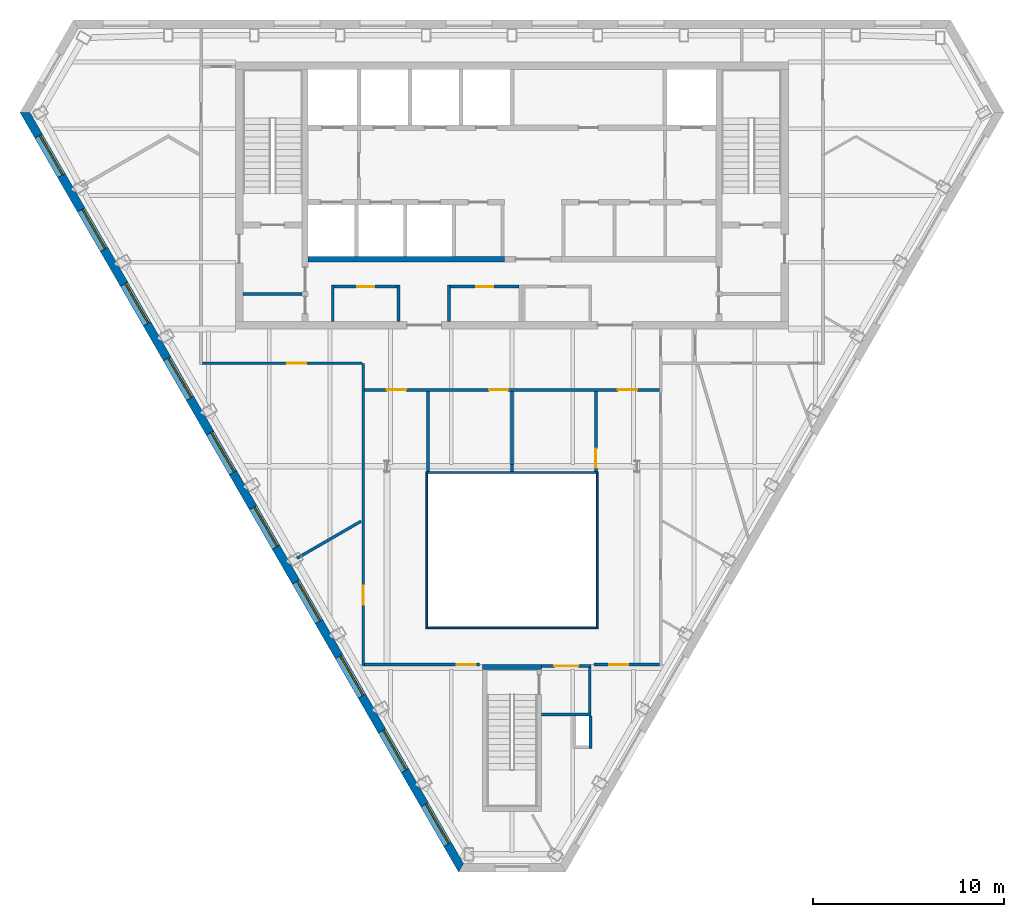
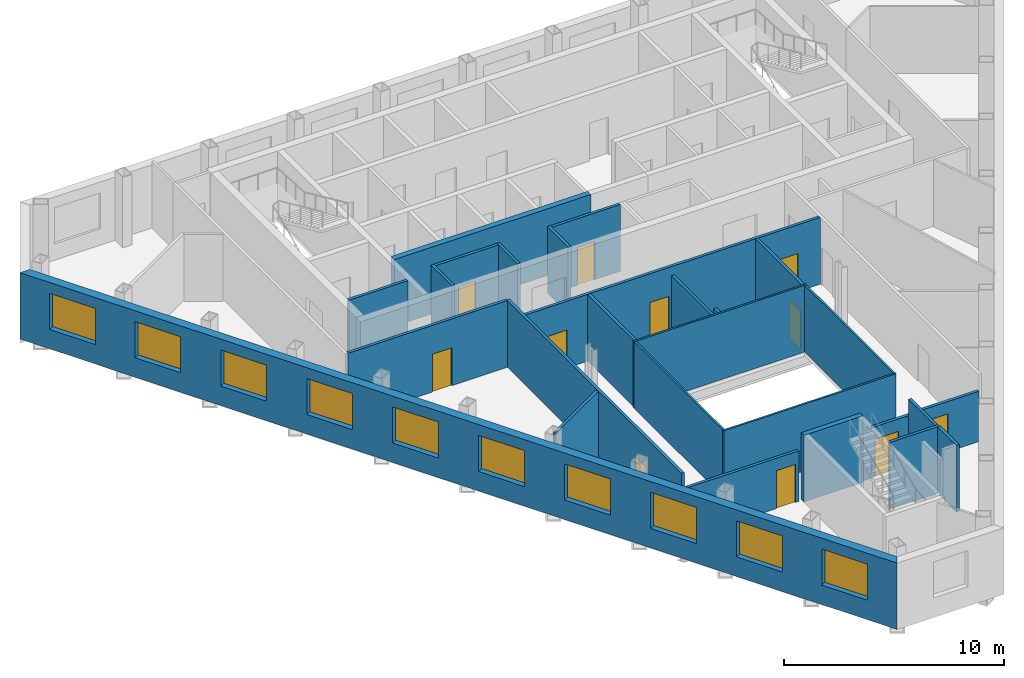
# One storey, part 4 of 10: 27 walls, 11 doors, 10 windows, 21 openings.
"""IFC4 building model written with IfcOpenShell, lengths in metres."""

import ifcopenshell
import ifcopenshell.guid

model = None  # the IFC model being written
_history = None  # IfcOwnerHistory: only IFC2X3 demands one
_inside = {}  # id of a spatial element -> (the spatial element, [elements in it])
_under = {}  # id of a project, library or spatial element -> (it, [spatial elements below it])
_declared = {}  # id of a project -> (the project, [libraries it declares])
_typed = {}  # id of a type object -> (the type object, [elements of that type])
_made_of = {}  # id of a material, layer set ... -> (it, [elements and type objects made of it])


def new_model(schema):
    """Start an empty IFC model of exactly this schema.

    Asked for "IFC4X3", IfcOpenShell would pick the latest addendum, in which some entities
    have other attributes; the version numbers below select the first issue.
    IFC2X3 requires an IfcOwnerHistory on every rooted entity: one is made here for all.
    """
    global model, _history
    if schema == "IFC4X3":
        model = ifcopenshell.file(schema_version=(4, 3, 0, 0))
    else:
        model = ifcopenshell.file(schema=schema)
    _inside.clear()
    _under.clear()
    _declared.clear()
    _typed.clear()
    _made_of.clear()
    _history = None
    if model.schema == "IFC2X3":
        org = make("IfcOrganization", Name="unknown")
        user = make(
            "IfcPersonAndOrganization",
            ThePerson=make("IfcPerson", FamilyName="unknown"),
            TheOrganization=org,
        )
        app = make(
            "IfcApplication",
            ApplicationDeveloper=org,
            Version="unknown",
            ApplicationFullName="unknown",
            ApplicationIdentifier="unknown",
        )
        _history = make(
            "IfcOwnerHistory",
            OwningUser=user,
            OwningApplication=app,
            ChangeAction="ADDED",
            CreationDate=0,
        )
    return model


def make(cls, **values):
    """One entity of the class cls with the attributes given. An attribute that is None is left unset."""
    return model.create_entity(
        cls, **{name: value for name, value in values.items() if value is not None}
    )


def rooted(cls, **values):
    """An entity with a GlobalId (a new one), such as an element, a storey or a relation."""
    return make(cls, GlobalId=ifcopenshell.guid.new(), OwnerHistory=_history, **values)


def si_unit(unit_type, name, prefix=None):
    """IfcSIUnit, for example si_unit("LENGTHUNIT", "METRE", prefix="MILLI")."""
    return make("IfcSIUnit", UnitType=unit_type, Prefix=prefix, Name=name)


def assignment(units):
    """IfcUnitAssignment: the units of a project."""
    return None if units is None else make("IfcUnitAssignment", Units=units)


def point(xyz):
    """IfcCartesianPoint."""
    return None if xyz is None else make("IfcCartesianPoint", Coordinates=xyz)


def direction(xyz):
    """IfcDirection."""
    return None if xyz is None else make("IfcDirection", DirectionRatios=xyz)


def frame(location, z_axis=None, x_axis=None):
    """IfcAxis2Placement3D, a coordinate frame: its origin and axes. An axis left out is left unset."""
    return make(
        "IfcAxis2Placement3D",
        Location=point(location),
        Axis=direction(z_axis),
        RefDirection=direction(x_axis),
    )


def frame_2d(location, x_axis=None):
    """IfcAxis2Placement2D, a coordinate frame in the plane: its origin and x axis."""
    return make(
        "IfcAxis2Placement2D", Location=point(location), RefDirection=direction(x_axis)
    )


def origin():
    """The frame at (0, 0, 0) with its axes left unset."""
    return frame((0.0, 0.0, 0.0))


def place(relative_to, where):
    """IfcLocalPlacement: puts the frame where relative to a parent placement (None: the world)."""
    return make(
        "IfcLocalPlacement", PlacementRelTo=relative_to, RelativePlacement=where
    )


def context(
    kind, dimensions, precision=None, world=None, true_north=None, identifier=None
):
    """IfcGeometricRepresentationContext, for example the 3D "Model" context."""
    return make(
        "IfcGeometricRepresentationContext",
        ContextIdentifier=identifier,
        ContextType=kind,
        CoordinateSpaceDimension=dimensions,
        Precision=precision,
        WorldCoordinateSystem=world,
        TrueNorth=true_north,
    )


def subcontext(parent, identifier, kind, view, scale=None):
    """IfcGeometricRepresentationSubContext, for example "Body" below "Model"."""
    return make(
        "IfcGeometricRepresentationSubContext",
        ContextIdentifier=identifier,
        ContextType=kind,
        ParentContext=parent,
        TargetScale=scale,
        TargetView=view,
    )


def project(units=None, contexts=None):
    """IfcProject with its units and contexts."""
    return rooted(
        "IfcProject",
        Name="project",
        RepresentationContexts=contexts,
        UnitsInContext=assignment(units),
    )


def spatial(cls, under=None, at=None, **own):
    """A site, building, storey or space (cls), placed at a placement, below another one or the project."""
    s = rooted(cls, ObjectPlacement=at, **own)
    if under is not None:
        _under.setdefault(under.id(), (under, []))[1].append(s)
    return s


def polyline(points):
    """IfcPolyline through the points."""
    return make("IfcPolyline", Points=[point(p) for p in points])


def profile(cls, at=None, kind="AREA", **sizes):
    """A parametric profile (cls). Its sizes go by their IFC names, for example OverallWidth=200.0."""
    return make(cls, ProfileType=kind, Position=at, **sizes)


def rectangle(**sizes):
    """IfcRectangleProfileDef."""
    return profile("IfcRectangleProfileDef", **sizes)


def outline(outer, holes=None, kind="AREA"):
    """IfcArbitraryClosedProfileDef: a profile drawn as a closed curve; with holes, ...WithVoids."""
    if holes is None:
        return make("IfcArbitraryClosedProfileDef", ProfileType=kind, OuterCurve=outer)
    return make(
        "IfcArbitraryProfileDefWithVoids",
        ProfileType=kind,
        OuterCurve=outer,
        InnerCurves=holes,
    )


def extrude(swept, where, along, depth):
    """IfcExtrudedAreaSolid: the profile swept, set in the frame where, extruded along a direction by depth."""
    return make(
        "IfcExtrudedAreaSolid",
        SweptArea=swept,
        Position=where,
        ExtrudedDirection=direction(along),
        Depth=depth,
    )


def shape(context_of_items, identifier, shape_type, items):
    """IfcShapeRepresentation: the items that make up one representation, for example the "Body"."""
    return make(
        "IfcShapeRepresentation",
        ContextOfItems=context_of_items,
        RepresentationIdentifier=identifier,
        RepresentationType=shape_type,
        Items=items,
    )


def material(Name=None, Category=None):
    """IfcMaterial."""
    return make("IfcMaterial", Name=Name, Category=Category)


def layer(
    of_material, thickness, ventilated=None, Name=None, Category=None, Priority=None
):
    """IfcMaterialLayer: one layer of a wall or slab, of a material (None: an air gap)."""
    return make(
        "IfcMaterialLayer",
        Material=of_material,
        LayerThickness=thickness,
        IsVentilated=ventilated,
        Name=Name,
        Category=Category,
        Priority=Priority,
    )


def layer_set(layers, Name=None):
    """IfcMaterialLayerSet."""
    return make("IfcMaterialLayerSet", MaterialLayers=layers, LayerSetName=Name)


def made_of(thing, what):
    """Note that an element or type object is made of a material, layer set ...; save() writes the relation."""
    if what is not None:
        _made_of.setdefault(what.id(), (what, []))[1].append(thing)
    return thing


def type_object(cls, material=None, **own):
    """A type object (cls), such as IfcWallType, which elements share."""
    return made_of(rooted(cls, **own), material)


def element(
    cls,
    number,
    at=None,
    inside=None,
    cuts=None,
    type_object=None,
    material=None,
    context=None,
    identifier="Body",
    shape_type=None,
    held_by="IfcProductDefinitionShape",
    body=None,
    shapes=None,
    **own,
):
    """One element of the class cls, such as IfcWall. Its Tag is "e" and its number.

    at: its placement. inside: the storey or other place that contains it. cuts: it is an
    opening in that element (IfcRelVoidsElement). A single representation is given by context,
    identifier, shape_type and body (its items); several are given by shapes. held_by: the class
    of the entity that holds the representations. save() writes the other relations.
    """
    e = rooted(cls, Tag="e%d" % number, ObjectPlacement=at, **own)
    if body is not None:
        shapes = [shape(context, identifier, shape_type, body)]
    if shapes is not None:
        e.Representation = make(held_by, Representations=shapes)
    if inside is not None:
        _inside.setdefault(inside.id(), (inside, []))[1].append(e)
    if cuts is not None:
        rooted(
            "IfcRelVoidsElement", RelatingBuildingElement=cuts, RelatedOpeningElement=e
        )
    if type_object is not None:
        _typed.setdefault(type_object.id(), (type_object, []))[1].append(e)
    return made_of(e, material)


def fill(opening, filler):
    """IfcRelFillsElement: the door or window that sits in an opening."""
    return rooted(
        "IfcRelFillsElement",
        RelatingOpeningElement=opening,
        RelatedBuildingElement=filler,
    )


def aggregate(whole, parts):
    """IfcRelAggregates: a whole, such as a stair, and the parts it consists of."""
    return rooted("IfcRelAggregates", RelatingObject=whole, RelatedObjects=parts)


def save(model, path):
    """Write the relations noted so far, then the file.

    IfcRelAggregates (storeys below a building ...), IfcRelContainedInSpatialStructure (elements
    in a storey), IfcRelDefinesByType, IfcRelAssociatesMaterial and IfcRelDeclares: one each for
    every whole, place, type object, material and project.
    """
    for whole, parts in _under.values():
        aggregate(whole, parts)
    for where, things in _inside.values():
        rooted(
            "IfcRelContainedInSpatialStructure",
            RelatedElements=things,
            RelatingStructure=where,
        )
    for kind, things in _typed.values():
        rooted("IfcRelDefinesByType", RelatedObjects=things, RelatingType=kind)
    for what, things in _made_of.values():
        rooted("IfcRelAssociatesMaterial", RelatedObjects=things, RelatingMaterial=what)
    for by, libraries in _declared.values():
        rooted("IfcRelDeclares", RelatingContext=by, RelatedDefinitions=libraries)
    model.write(path)


model = new_model("IFC4")

# Units and contexts
model_context = context("Model", 3, precision=1e-05, world=origin(), true_north=direction((0.0, 1.0)))
body_context = subcontext(model_context, "Body", "Model", "MODEL_VIEW")
ifc_project = project(units=[si_unit("LENGTHUNIT", "METRE"), si_unit("AREAUNIT", "SQUARE_METRE"), si_unit("VOLUMEUNIT", "CUBIC_METRE"), si_unit("PLANEANGLEUNIT", "RADIAN"), si_unit("MASSUNIT", "GRAM", prefix="KILO")], contexts=[model_context])

# Site, building, storey
site_placement = place(None, origin())
site = spatial("IfcSite", under=ifc_project, at=site_placement, CompositionType="ELEMENT")
building_placement = place(site_placement, origin())
building = spatial("IfcBuilding", under=site, at=building_placement, Name="Njiva Tower", CompositionType="ELEMENT")
storey_placement = place(building_placement, frame((0.0, 0.0, 268.8)))
storey = spatial("IfcBuildingStorey", under=building, at=storey_placement, Name="L61", CompositionType="ELEMENT", Elevation=268.8)

# Walls
ifc_material_1 = material(Name="Blockwork", Category="masonry")
ifc_layer_1 = layer(ifc_material_1, 0.15)
ifc_layer_set_1 = layer_set([ifc_layer_1], Name="Blockwork")
wall_type_1 = type_object("IfcWallType", Name="WT1 Compartment partition 150", PredefinedType="PARTITIONING", material=ifc_layer_set_1)
wall_1_placement = place(storey_placement, frame((-14.1, 5.825, 0.0), z_axis=(0.0, 0.0, 1.0), x_axis=(1.0, 0.0, 0.0)))
element("IfcWall", 1, at=wall_1_placement, inside=storey, type_object=wall_type_1, Name="Room wall A", PredefinedType="PARTITIONING", context=body_context, shape_type="SweptSolid", body=[
    extrude(rectangle(XDim=3.1, YDim=0.15, at=frame_2d((1.55, 0.0))), origin(), (0.0, 0.0, 1.0), 3.7),
])
for number, where, z_axis, x_axis, name in (
    (2, (-9.4, 4.4, 0.0), (0.0, 0.0, 1.0), (0.0, 1.0, 0.0), "Tenant reception wall west"),
    (3, (-5.95, 4.4, 0.0), (0.0, 0.0, 1.0), (0.0, 1.0, 0.0), "Tenant reception wall east"),
):
    element("IfcWall", number, at=place(storey_placement, frame(where, z_axis=z_axis, x_axis=x_axis)), inside=storey, type_object=wall_type_1, Name=name, PredefinedType="PARTITIONING", context=body_context, shape_type="SweptSolid", body=[
        extrude(rectangle(XDim=1.895, YDim=0.15, at=frame_2d((0.9475, 0.0))), origin(), (0.0, 0.0, 1.0), 3.7),
    ])

# Wall, opening, door
wall_2_placement = place(storey_placement, frame((-9.325, 6.22, 0.0), z_axis=(0.0, 0.0, 1.0), x_axis=(1.0, 0.0, 0.0)))
wall_2 = element("IfcWall", 4, at=wall_2_placement, inside=storey, type_object=wall_type_1, Name="Tenant reception wall north", PredefinedType="PARTITIONING", context=body_context, shape_type="SweptSolid", body=[
    extrude(rectangle(XDim=3.3, YDim=0.15, at=frame_2d((1.65, 0.0))), origin(), (0.0, 0.0, 1.0), 3.7),
])
opening_1_placement = place(wall_2_placement, frame((1.2, 0.0, 0.0)))
opening_1 = element("IfcOpeningElement", 5, at=opening_1_placement, cuts=wall_2, Name="Opening S20-D924", PredefinedType="OPENING", context=body_context, shape_type="SweptSolid", body=[
    extrude(rectangle(XDim=0.9, YDim=2.1, at=frame_2d((0.45, 1.05))), frame((0.0, 0.085, 0.0), z_axis=(0.0, -1.0, 0.0), x_axis=(1.0, 0.0, 0.0)), (0.0, 0.0, 1.0), 0.17),
])
ifc_material_2 = material(Name="Steel fire door, painted", Category="steel")
door_type_1 = type_object("IfcDoorType", Name="D6 Fire-rated door 900x2100", OperationType="SINGLE_SWING_LEFT", PredefinedType="DOOR", material=ifc_material_2)
door_1_placement = place(opening_1_placement, origin())
door_1 = element("IfcDoor", 6, at=door_1_placement, inside=storey, type_object=door_type_1, Name="Tenant reception door", OperationType="SINGLE_SWING_RIGHT", OverallHeight=2.1, OverallWidth=0.9, PredefinedType="DOOR", context=body_context, shape_type="SweptSolid", body=[
    extrude(rectangle(XDim=0.9, YDim=2.1, at=frame_2d((0.45, 1.05))), frame((0.0, 0.025, 0.0), z_axis=(0.0, -1.0, 0.0), x_axis=(1.0, 0.0, 0.0)), (0.0, 0.0, 1.0), 0.05),
])
fill(opening_1, door_1)

# Wall
wall_3_placement = place(storey_placement, frame((-3.3, 4.4, 0.0), z_axis=(0.0, 0.0, 1.0), x_axis=(0.0, 1.0, 0.0)))
element("IfcWall", 7, at=wall_3_placement, inside=storey, type_object=wall_type_1, Name="Waiting room wall west", PredefinedType="PARTITIONING", context=body_context, shape_type="SweptSolid", body=[
    extrude(rectangle(XDim=1.895, YDim=0.15, at=frame_2d((0.9475, 0.0))), origin(), (0.0, 0.0, 1.0), 3.7),
])

# Wall, opening, door
wall_4_placement = place(storey_placement, frame((-3.225, 6.22, 0.0), z_axis=(0.0, 0.0, 1.0), x_axis=(1.0, 0.0, 0.0)))
wall_4 = element("IfcWall", 8, at=wall_4_placement, inside=storey, type_object=wall_type_1, Name="Waiting room wall north", PredefinedType="PARTITIONING", context=body_context, shape_type="SweptSolid", body=[
    extrude(rectangle(XDim=3.6, YDim=0.15, at=frame_2d((1.8, 0.0))), origin(), (0.0, 0.0, 1.0), 3.7),
])
opening_2_placement = place(wall_4_placement, frame((1.35, 0.0, 0.0)))
opening_2 = element("IfcOpeningElement", 9, at=opening_2_placement, cuts=wall_4, Name="Opening S20-D925", PredefinedType="OPENING", context=body_context, shape_type="SweptSolid", body=[
    extrude(rectangle(XDim=0.9, YDim=2.1, at=frame_2d((0.45, 1.05))), frame((0.0, 0.085, 0.0), z_axis=(0.0, -1.0, 0.0), x_axis=(1.0, 0.0, 0.0)), (0.0, 0.0, 1.0), 0.17),
])
door_2_placement = place(opening_2_placement, origin())
door_2 = element("IfcDoor", 10, at=door_2_placement, inside=storey, type_object=door_type_1, Name="Waiting room door", OperationType="SINGLE_SWING_LEFT", OverallHeight=2.1, OverallWidth=0.9, PredefinedType="DOOR", context=body_context, shape_type="SweptSolid", body=[
    extrude(rectangle(XDim=0.9, YDim=2.1, at=frame_2d((0.45, 1.05))), frame((0.0, 0.025, 0.0), z_axis=(0.0, -1.0, 0.0), x_axis=(1.0, 0.0, 0.0)), (0.0, 0.0, 1.0), 0.05),
])
fill(opening_2, door_2)

ifc_material_3 = material(Name="Gypsum board on steel studs", Category="gypsum")
ifc_layer_2 = layer(ifc_material_3, 0.15)
ifc_layer_set_2 = layer_set([ifc_layer_2], Name="Gypsum board on steel studs")
wall_type_2 = type_object("IfcWallType", Name="WT21 Compartment wall 150", PredefinedType="PARTITIONING", material=ifc_layer_set_2)
wall_5_placement = place(storey_placement, frame((-16.225, 2.2, 0.0), z_axis=(0.0, 0.0, 1.0), x_axis=(1.0, 0.0, 0.0)))
wall_5 = element("IfcWall", 11, at=wall_5_placement, inside=storey, type_object=wall_type_2, Name="Partition S20-P005", PredefinedType="PARTITIONING", context=body_context, shape_type="SweptSolid", body=[
    extrude(rectangle(XDim=8.35, YDim=0.15, at=frame_2d((4.175, 0.0))), origin(), (0.0, 0.0, 1.0), 3.7),
])
opening_3_placement = place(wall_5_placement, frame((4.431, 0.0, 0.0)))
opening_3 = element("IfcOpeningElement", 12, at=opening_3_placement, cuts=wall_5, Name="Opening S20-D002", PredefinedType="OPENING", context=body_context, shape_type="SweptSolid", body=[
    extrude(rectangle(XDim=1.0, YDim=2.1, at=frame_2d((0.5, 1.05))), frame((0.0, 0.085, 0.0), z_axis=(0.0, -1.0, 0.0), x_axis=(1.0, 0.0, 0.0)), (0.0, 0.0, 1.0), 0.17),
])
ifc_material_4 = material(Name="Steel fire door set", Category="steel")
door_type_2 = type_object("IfcDoorType", Name="D37 Fire door 1000x2100", OperationType="SINGLE_SWING_LEFT", PredefinedType="DOOR", material=ifc_material_4)
door_3_placement = place(opening_3_placement, origin())
door_3 = element("IfcDoor", 13, at=door_3_placement, inside=storey, type_object=door_type_2, Name="Door S20-D002", OperationType="SINGLE_SWING_RIGHT", OverallHeight=2.1, OverallWidth=1.0, PredefinedType="DOOR", context=body_context, shape_type="SweptSolid", body=[
    extrude(rectangle(XDim=1.0, YDim=2.1, at=frame_2d((0.5, 1.05))), frame((0.0, 0.025, 0.0), z_axis=(0.0, -1.0, 0.0), x_axis=(1.0, 0.0, 0.0)), (0.0, 0.0, 1.0), 0.05),
])
fill(opening_3, door_3)

# Wall
wall_6_placement = place(storey_placement, frame((-11.267, -8.021, 0.0), z_axis=(0.0, 0.0, 1.0), x_axis=(0.865850162789, 0.500303403544, 0.0)))
element("IfcWall", 14, at=wall_6_placement, inside=storey, type_object=wall_type_2, Name="Partition S20-P007", PredefinedType="PARTITIONING", context=body_context, shape_type="SweptSolid", body=[
    extrude(rectangle(XDim=3.8736, YDim=0.15, at=frame_2d((1.9368, 0.0))), origin(), (0.0, 0.0, 1.0), 3.7),
])

# Wall, opening, door
wall_7_placement = place(storey_placement, frame((-7.8, -13.675, 0.0), z_axis=(0.0, 0.0, 1.0), x_axis=(0.0, 1.0, 0.0)))
wall_7 = element("IfcWall", 15, at=wall_7_placement, inside=storey, type_object=wall_type_2, Name="Partition S20-P008", PredefinedType="PARTITIONING", context=body_context, shape_type="SweptSolid", body=[
    extrude(rectangle(XDim=15.872, YDim=0.15, at=frame_2d((7.936, 0.0))), origin(), (0.0, 0.0, 1.0), 3.7),
])
opening_4_placement = place(wall_7_placement, frame((3.213, 0.0, 0.0)))
opening_4 = element("IfcOpeningElement", 16, at=opening_4_placement, cuts=wall_7, Name="Opening S20-D004", PredefinedType="OPENING", context=body_context, shape_type="SweptSolid", body=[
    extrude(rectangle(XDim=1.0, YDim=2.1, at=frame_2d((0.5, 1.05))), frame((0.0, 0.085, 0.0), z_axis=(0.0, -1.0, 0.0), x_axis=(1.0, 0.0, 0.0)), (0.0, 0.0, 1.0), 0.17),
])
door_4_placement = place(opening_4_placement, origin())
door_4 = element("IfcDoor", 17, at=door_4_placement, inside=storey, type_object=door_type_2, Name="Door S20-D004", OperationType="SINGLE_SWING_LEFT", OverallHeight=2.1, OverallWidth=1.0, PredefinedType="DOOR", context=body_context, shape_type="SweptSolid", body=[
    extrude(rectangle(XDim=1.0, YDim=2.1, at=frame_2d((0.5, 1.05))), frame((0.0, 0.025, 0.0), z_axis=(0.0, -1.0, 0.0), x_axis=(1.0, 0.0, 0.0)), (0.0, 0.0, 1.0), 0.05),
])
fill(opening_4, door_4)

wall_8_placement = place(storey_placement, frame((-7.725, -13.6, 0.0), z_axis=(0.0, 0.0, 1.0), x_axis=(1.0, 0.0, 0.0)))
wall_8 = element("IfcWall", 18, at=wall_8_placement, inside=storey, type_object=wall_type_2, Name="Partition S20-P009", PredefinedType="PARTITIONING", context=body_context, shape_type="SweptSolid", body=[
    extrude(rectangle(XDim=6.025, YDim=0.15, at=frame_2d((3.0125, 0.0))), origin(), (0.0, 0.0, 1.0), 2.79),
])
opening_5_placement = place(wall_8_placement, frame((4.825, 0.0, 0.0)))
opening_5 = element("IfcOpeningElement", 19, at=opening_5_placement, cuts=wall_8, Name="Opening S20-D005", PredefinedType="OPENING", context=body_context, shape_type="SweptSolid", body=[
    extrude(rectangle(XDim=1.0, YDim=2.1, at=frame_2d((0.5, 1.05))), frame((0.0, 0.085, 0.0), z_axis=(0.0, -1.0, 0.0), x_axis=(1.0, 0.0, 0.0)), (0.0, 0.0, 1.0), 0.17),
])
door_5_placement = place(opening_5_placement, origin())
door_5 = element("IfcDoor", 20, at=door_5_placement, inside=storey, type_object=door_type_2, Name="Door S20-D005", OperationType="SINGLE_SWING_LEFT", OverallHeight=2.1, OverallWidth=1.0, PredefinedType="DOOR", context=body_context, shape_type="SweptSolid", body=[
    extrude(rectangle(XDim=1.0, YDim=2.1, at=frame_2d((0.5, 1.05))), frame((0.0, 0.025, 0.0), z_axis=(0.0, -1.0, 0.0), x_axis=(1.0, 0.0, 0.0)), (0.0, 0.0, 1.0), 0.05),
])
fill(opening_5, door_5)

# Wall, openings, doors
wall_9_placement = place(storey_placement, frame((-7.725, 0.8, 0.0), z_axis=(0.0, 0.0, 1.0), x_axis=(1.0, 0.0, 0.0)))
wall_9 = element("IfcWall", 21, at=wall_9_placement, inside=storey, type_object=wall_type_2, Name="Partition S20-P010", PredefinedType="PARTITIONING", context=body_context, shape_type="SweptSolid", body=[
    extrude(rectangle(XDim=15.45, YDim=0.15, at=frame_2d((7.725, 0.0))), origin(), (0.0, 0.0, 1.0), 3.7),
])
opening_6_placement = place(wall_9_placement, frame((1.168, 0.0, 0.0)))
opening_6 = element("IfcOpeningElement", 22, at=opening_6_placement, cuts=wall_9, Name="Opening S20-D006", PredefinedType="OPENING", context=body_context, shape_type="SweptSolid", body=[
    extrude(rectangle(XDim=1.0, YDim=2.1, at=frame_2d((0.5, 1.05))), frame((0.0, 0.085, 0.0), z_axis=(0.0, -1.0, 0.0), x_axis=(1.0, 0.0, 0.0)), (0.0, 0.0, 1.0), 0.17),
])
opening_7_placement = place(wall_9_placement, frame((6.524, 0.0, 0.0)))
opening_7 = element("IfcOpeningElement", 23, at=opening_7_placement, cuts=wall_9, Name="Opening S20-D007", PredefinedType="OPENING", context=body_context, shape_type="SweptSolid", body=[
    extrude(rectangle(XDim=1.0, YDim=2.1, at=frame_2d((0.5, 1.05))), frame((0.0, 0.085, 0.0), z_axis=(0.0, -1.0, 0.0), x_axis=(1.0, 0.0, 0.0)), (0.0, 0.0, 1.0), 0.17),
])
opening_8_placement = place(wall_9_placement, frame((13.281, 0.0, 0.0)))
opening_8 = element("IfcOpeningElement", 24, at=opening_8_placement, cuts=wall_9, Name="Opening S20-D008", PredefinedType="OPENING", context=body_context, shape_type="SweptSolid", body=[
    extrude(rectangle(XDim=1.0, YDim=2.1, at=frame_2d((0.5, 1.05))), frame((0.0, 0.085, 0.0), z_axis=(0.0, -1.0, 0.0), x_axis=(1.0, 0.0, 0.0)), (0.0, 0.0, 1.0), 0.17),
])
door_6_placement = place(opening_6_placement, origin())
door_6 = element("IfcDoor", 25, at=door_6_placement, inside=storey, type_object=door_type_2, Name="Door S20-D006", OperationType="SINGLE_SWING_RIGHT", OverallHeight=2.1, OverallWidth=1.0, PredefinedType="DOOR", context=body_context, shape_type="SweptSolid", body=[
    extrude(rectangle(XDim=1.0, YDim=2.1, at=frame_2d((0.5, 1.05))), frame((0.0, 0.025, 0.0), z_axis=(0.0, -1.0, 0.0), x_axis=(1.0, 0.0, 0.0)), (0.0, 0.0, 1.0), 0.05),
])
fill(opening_6, door_6)
door_7_placement = place(opening_7_placement, origin())
door_7 = element("IfcDoor", 26, at=door_7_placement, inside=storey, type_object=door_type_2, Name="Door S20-D007", OperationType="SINGLE_SWING_LEFT", OverallHeight=2.1, OverallWidth=1.0, PredefinedType="DOOR", context=body_context, shape_type="SweptSolid", body=[
    extrude(rectangle(XDim=1.0, YDim=2.1, at=frame_2d((0.5, 1.05))), frame((0.0, 0.025, 0.0), z_axis=(0.0, -1.0, 0.0), x_axis=(1.0, 0.0, 0.0)), (0.0, 0.0, 1.0), 0.05),
])
fill(opening_7, door_7)
door_8_placement = place(opening_8_placement, origin())
door_8 = element("IfcDoor", 27, at=door_8_placement, inside=storey, type_object=door_type_2, Name="Door S20-D008", OperationType="SINGLE_SWING_LEFT", OverallHeight=2.1, OverallWidth=1.0, PredefinedType="DOOR", context=body_context, shape_type="SweptSolid", body=[
    extrude(rectangle(XDim=1.0, YDim=2.1, at=frame_2d((0.5, 1.05))), frame((0.0, 0.025, 0.0), z_axis=(0.0, -1.0, 0.0), x_axis=(1.0, 0.0, 0.0)), (0.0, 0.0, 1.0), 0.05),
])
fill(opening_8, door_8)

# Walls
wall_10_placement = place(storey_placement, frame((-4.4, -3.48, 0.0), z_axis=(0.0, 0.0, 1.0), x_axis=(0.0, 1.0, 0.0)))
element("IfcWall", 28, at=wall_10_placement, inside=storey, type_object=wall_type_2, Name="Partition S20-P011", PredefinedType="PARTITIONING", context=body_context, shape_type="SweptSolid", body=[
    extrude(rectangle(XDim=4.205, YDim=0.15, at=frame_2d((2.1025, 0.0))), origin(), (0.0, 0.0, 1.0), 3.7),
])
wall_11_placement = place(storey_placement, frame((-0.001, 0.725, 0.0), z_axis=(0.0, 0.0, 1.0), x_axis=(0.000235294111, -0.999999972318, 0.0)))
element("IfcWall", 29, at=wall_11_placement, inside=storey, type_object=wall_type_2, Name="Partition S20-P012", PredefinedType="PARTITIONING", context=body_context, shape_type="SweptSolid", body=[
    extrude(rectangle(XDim=3.825, YDim=0.15, at=frame_2d((1.9125, 0.0))), origin(), (0.0, 0.0, 1.0), 3.2),
])
wall_12_placement = place(storey_placement, frame((-0.0001, -3.1, 0.0), z_axis=(0.0, 0.0, 1.0), x_axis=(0.000263157886, -0.999999965374, 0.0)))
element("IfcWall", 30, at=wall_12_placement, inside=storey, type_object=wall_type_2, Name="Partition S20-P012A", PredefinedType="PARTITIONING", context=body_context, shape_type="SweptSolid", body=[
    extrude(rectangle(XDim=0.38, YDim=0.15, at=frame_2d((0.19, 0.0))), origin(), (0.0, 0.0, 1.0), 3.7),
])

# Wall, opening, door
wall_13_placement = place(storey_placement, frame((4.3, -13.6, 0.0), z_axis=(0.0, 0.0, 1.0), x_axis=(1.0, 0.0, 0.0)))
wall_13 = element("IfcWall", 31, at=wall_13_placement, inside=storey, type_object=wall_type_2, Name="Partition S20-P014", PredefinedType="PARTITIONING", context=body_context, shape_type="SweptSolid", body=[
    extrude(rectangle(XDim=3.425, YDim=0.15, at=frame_2d((1.7125, 0.0))), origin(), (0.0, 0.0, 1.0), 2.79),
])
opening_9_placement = place(wall_13_placement, frame((0.798, 0.0, 0.0)))
opening_9 = element("IfcOpeningElement", 32, at=opening_9_placement, cuts=wall_13, Name="Opening S20-D009", PredefinedType="OPENING", context=body_context, shape_type="SweptSolid", body=[
    extrude(rectangle(XDim=1.0, YDim=2.1, at=frame_2d((0.5, 1.05))), frame((0.0, 0.085, 0.0), z_axis=(0.0, -1.0, 0.0), x_axis=(1.0, 0.0, 0.0)), (0.0, 0.0, 1.0), 0.17),
])
door_9_placement = place(opening_9_placement, origin())
door_9 = element("IfcDoor", 33, at=door_9_placement, inside=storey, type_object=door_type_2, Name="Door S20-D009", OperationType="SINGLE_SWING_LEFT", OverallHeight=2.1, OverallWidth=1.0, PredefinedType="DOOR", context=body_context, shape_type="SweptSolid", body=[
    extrude(rectangle(XDim=1.0, YDim=2.1, at=frame_2d((0.5, 1.05))), frame((0.0, 0.025, 0.0), z_axis=(0.0, -1.0, 0.0), x_axis=(1.0, 0.0, 0.0)), (0.0, 0.0, 1.0), 0.05),
])
fill(opening_9, door_9)

wall_14_placement = place(storey_placement, frame((4.399, 0.725, 0.0), z_axis=(0.0, 0.0, 1.0), x_axis=(0.000237812122, -0.999999971723, 0.0)))
wall_14 = element("IfcWall", 34, at=wall_14_placement, inside=storey, type_object=wall_type_2, Name="Partition S20-P015", PredefinedType="PARTITIONING", context=body_context, shape_type="SweptSolid", body=[
    extrude(rectangle(XDim=4.205, YDim=0.15, at=frame_2d((2.1025, 0.0))), origin(), (0.0, 0.0, 1.0), 3.7),
])
opening_10_placement = place(wall_14_placement, frame((3.005, 0.0, 0.0)))
opening_10 = element("IfcOpeningElement", 35, at=opening_10_placement, cuts=wall_14, Name="Opening S20-D010", PredefinedType="OPENING", context=body_context, shape_type="SweptSolid", body=[
    extrude(rectangle(XDim=1.0, YDim=2.1, at=frame_2d((0.5, 1.05))), frame((0.0, 0.085, 0.0), z_axis=(0.0, -1.0, 0.0), x_axis=(1.0, 0.0, 0.0)), (0.0, 0.0, 1.0), 0.17),
])
door_10_placement = place(opening_10_placement, origin())
door_10 = element("IfcDoor", 36, at=door_10_placement, inside=storey, type_object=door_type_2, Name="Door S20-D010", OperationType="SINGLE_SWING_RIGHT", OverallHeight=2.1, OverallWidth=1.0, PredefinedType="DOOR", context=body_context, shape_type="SweptSolid", body=[
    extrude(rectangle(XDim=1.0, YDim=2.1, at=frame_2d((0.5, 1.05))), frame((0.0, 0.025, 0.0), z_axis=(0.0, -1.0, 0.0), x_axis=(1.0, 0.0, 0.0)), (0.0, 0.0, 1.0), 0.05),
])
fill(opening_10, door_10)

# Walls
ifc_layer_3 = layer(ifc_material_1, 0.15)
ifc_layer_set_3 = layer_set([ifc_layer_3], Name="Blockwork")
wall_type_3 = type_object("IfcWallType", Name="WT4 Stair partition 150", PredefinedType="PARTITIONING", material=ifc_layer_set_3)
wall_15_placement = place(storey_placement, frame((1.55, -16.225, 0.0), z_axis=(0.0, 0.0, 1.0), x_axis=(1.0, 0.0, 0.0)))
element("IfcWall", 37, at=wall_15_placement, inside=storey, type_object=wall_type_3, Name="Stair C vestibule wall south", PredefinedType="PARTITIONING", context=body_context, shape_type="SweptSolid", body=[
    extrude(rectangle(XDim=2.6, YDim=0.15, at=frame_2d((1.3, 0.0))), origin(), (0.0, 0.0, 1.0), 3.7),
])
wall_16_placement = place(storey_placement, frame((4.075, -16.15, 0.0), z_axis=(0.0, 0.0, 1.0), x_axis=(0.0, 1.0, 0.0)))
element("IfcWall", 38, at=wall_16_placement, inside=storey, type_object=wall_type_3, Name="Stair C vestibule wall east", PredefinedType="PARTITIONING", context=body_context, shape_type="SweptSolid", body=[
    extrude(rectangle(XDim=2.4, YDim=0.15, at=frame_2d((1.2, 0.0))), origin(), (0.0, 0.0, 1.0), 3.7),
])

# Wall, opening, door
wall_17_placement = place(storey_placement, frame((1.55, -13.675, 0.0), z_axis=(0.0, 0.0, 1.0), x_axis=(1.0, 0.0, 0.0)))
wall_17 = element("IfcWall", 39, at=wall_17_placement, inside=storey, type_object=wall_type_3, Name="Stair C vestibule wall north", PredefinedType="PARTITIONING", context=body_context, shape_type="SweptSolid", body=[
    extrude(rectangle(XDim=2.6, YDim=0.15, at=frame_2d((1.3, 0.0))), origin(), (0.0, 0.0, 1.0), 2.79),
])
opening_11_placement = place(wall_17_placement, frame((0.675, 0.0, 0.0)))
opening_11 = element("IfcOpeningElement", 40, at=opening_11_placement, cuts=wall_17, Name="Opening S20-D931", PredefinedType="OPENING", context=body_context, shape_type="SweptSolid", body=[
    extrude(rectangle(XDim=1.25, YDim=2.1, at=frame_2d((0.625, 1.05))), frame((0.0, 0.085, 0.0), z_axis=(0.0, -1.0, 0.0), x_axis=(1.0, 0.0, 0.0)), (0.0, 0.0, 1.0), 0.17),
])
ifc_material_5 = material(Name="Glazed steel fire door", Category="steel")
door_type_3 = type_object("IfcDoorType", Name="D8 Vestibule corridor door 1250x2100 glazed", OperationType="SINGLE_SWING_LEFT", PredefinedType="DOOR", material=ifc_material_5)
door_11_placement = place(opening_11_placement, origin())
door_11 = element("IfcDoor", 41, at=door_11_placement, inside=storey, type_object=door_type_3, Name="Stair vestibule corridor door", OperationType="SINGLE_SWING_RIGHT", OverallHeight=2.1, OverallWidth=1.25, PredefinedType="DOOR", context=body_context, shape_type="SweptSolid", body=[
    extrude(rectangle(XDim=1.25, YDim=2.1, at=frame_2d((0.625, 1.05))), frame((0.0, 0.025, 0.0), z_axis=(0.0, -1.0, 0.0), x_axis=(1.0, 0.0, 0.0)), (0.0, 0.0, 1.0), 0.05),
])
fill(opening_11, door_11)

# Walls
wall_18_placement = place(storey_placement, frame((4.125, -18.0, 0.0), z_axis=(0.0, 0.0, 1.0), x_axis=(0.0, 1.0, 0.0)))
element("IfcWall", 42, at=wall_18_placement, inside=storey, type_object=wall_type_3, Name="Stair C pressurisation shaft wall", PredefinedType="PARTITIONING", context=body_context, shape_type="SweptSolid", body=[
    extrude(rectangle(XDim=1.7, YDim=0.15, at=frame_2d((0.85, 0.0))), origin(), (0.0, 0.0, 1.0), 3.7),
])
ifc_material_6 = material(Name="Concrete C40/50", Category="concrete")
ifc_layer_4 = layer(ifc_material_6, 0.3)
ifc_layer_set_4 = layer_set([ifc_layer_4], Name="Concrete C40/50")
wall_type_4 = type_object("IfcWallType", Name="WT7 Lift shaft wall 300", PredefinedType="SHEAR", material=ifc_layer_set_4)
wall_19_placement = place(storey_placement, frame((-10.7, 7.65, 0.0), z_axis=(0.0, 0.0, 1.0), x_axis=(1.0, 0.0, 0.0)))
element("IfcWall", 43, at=wall_19_placement, inside=storey, type_object=wall_type_4, Name="Shaft wall south row back W", PredefinedType="SHEAR", context=body_context, shape_type="SweptSolid", body=[
    extrude(rectangle(XDim=10.3, YDim=0.3, at=frame_2d((5.15, 0.0))), origin(), (0.0, 0.0, 1.0), 3.7),
])
ifc_layer_5 = layer(ifc_material_6, 0.25)
ifc_layer_set_5 = layer_set([ifc_layer_5], Name="Concrete C40/50")
wall_type_5 = type_object("IfcWallType", Name="WT9 Stair enclosure wall 250", PredefinedType="SHEAR", material=ifc_layer_set_5)
wall_20_placement = place(storey_placement, frame((-1.55, -13.725, 0.0), z_axis=(0.0, 0.0, 1.0), x_axis=(1.0, 0.0, 0.0)))
element("IfcWall", 44, at=wall_20_placement, inside=storey, type_object=wall_type_5, Name="Stair C wall north", PredefinedType="SHEAR", context=body_context, shape_type="SweptSolid", body=[
    extrude(rectangle(XDim=3.1, YDim=0.25, at=frame_2d((1.55, 0.0))), origin(), (0.0, 0.0, 1.0), 3.7),
])

# Wall, openings, windows
ifc_material_7 = material(Name="Brick masonry", Category="masonry")
ifc_layer_6 = layer(ifc_material_7, 0.45)
ifc_layer_set_6 = layer_set([ifc_layer_6], Name="Brick masonry")
wall_type_6 = type_object("IfcWallType", Name="WT90 Brick pier and spandrel wall 450", PredefinedType="SOLIDWALL", material=ifc_layer_set_6)
wall_21_placement = place(storey_placement, frame((-25.5402, 15.3503, -0.18), z_axis=(0.0, 0.0, 1.0), x_axis=(0.499999764979, -0.866025539474, 0.0)))
wall_21 = element("IfcWall", 45, at=wall_21_placement, inside=storey, type_object=wall_type_6, Name="Facade wall SW", PredefinedType="SOLIDWALL", context=body_context, shape_type="SweptSolid", body=[
    extrude(outline(polyline([(-0.1299, -0.225), (45.8701, -0.225), (45.6103, 0.225), (0.1299, 0.225), (-0.1299, -0.225)])), origin(), (0.0, 0.0, 1.0), 3.68),
])
opening_12_placement = place(wall_21_placement, frame((1.4242, 0.0, 1.08)))
opening_12 = element("IfcOpeningElement", 46, at=opening_12_placement, cuts=wall_21, Name="Opening S20-W09", PredefinedType="OPENING", context=body_context, shape_type="SweptSolid", body=[
    extrude(rectangle(XDim=2.4, YDim=2.0, at=frame_2d((1.2, 1.0))), frame((0.0, 0.235, 0.0), z_axis=(0.0, -1.0, 0.0), x_axis=(1.0, 0.0, 0.0)), (0.0, 0.0, 1.0), 0.47),
])
opening_13_placement = place(wall_21_placement, frame((5.8934, 0.0, 1.08)))
opening_13 = element("IfcOpeningElement", 47, at=opening_13_placement, cuts=wall_21, Name="Opening S20-W10", PredefinedType="OPENING", context=body_context, shape_type="SweptSolid", body=[
    extrude(rectangle(XDim=2.4, YDim=2.0, at=frame_2d((1.2, 1.0))), frame((0.0, 0.235, 0.0), z_axis=(0.0, -1.0, 0.0), x_axis=(1.0, 0.0, 0.0)), (0.0, 0.0, 1.0), 0.47),
])
opening_14_placement = place(wall_21_placement, frame((10.401, 0.0, 1.08)))
opening_14 = element("IfcOpeningElement", 48, at=opening_14_placement, cuts=wall_21, Name="Opening S20-W11", PredefinedType="OPENING", context=body_context, shape_type="SweptSolid", body=[
    extrude(rectangle(XDim=2.4, YDim=2.0, at=frame_2d((1.2, 1.0))), frame((0.0, 0.235, 0.0), z_axis=(0.0, -1.0, 0.0), x_axis=(1.0, 0.0, 0.0)), (0.0, 0.0, 1.0), 0.47),
])
opening_15_placement = place(wall_21_placement, frame((14.9087, 0.0, 1.08)))
opening_15 = element("IfcOpeningElement", 49, at=opening_15_placement, cuts=wall_21, Name="Opening S20-W12", PredefinedType="OPENING", context=body_context, shape_type="SweptSolid", body=[
    extrude(rectangle(XDim=2.4, YDim=2.0, at=frame_2d((1.2, 1.0))), frame((0.0, 0.235, 0.0), z_axis=(0.0, -1.0, 0.0), x_axis=(1.0, 0.0, 0.0)), (0.0, 0.0, 1.0), 0.47),
])
opening_16_placement = place(wall_21_placement, frame((19.4163, 0.0, 1.08)))
opening_16 = element("IfcOpeningElement", 50, at=opening_16_placement, cuts=wall_21, Name="Opening S20-W13", PredefinedType="OPENING", context=body_context, shape_type="SweptSolid", body=[
    extrude(rectangle(XDim=2.4, YDim=2.0, at=frame_2d((1.2, 1.0))), frame((0.0, 0.235, 0.0), z_axis=(0.0, -1.0, 0.0), x_axis=(1.0, 0.0, 0.0)), (0.0, 0.0, 1.0), 0.47),
])
opening_17_placement = place(wall_21_placement, frame((23.9239, 0.0, 1.08)))
opening_17 = element("IfcOpeningElement", 51, at=opening_17_placement, cuts=wall_21, Name="Opening S20-W14", PredefinedType="OPENING", context=body_context, shape_type="SweptSolid", body=[
    extrude(rectangle(XDim=2.4, YDim=2.0, at=frame_2d((1.2, 1.0))), frame((0.0, 0.235, 0.0), z_axis=(0.0, -1.0, 0.0), x_axis=(1.0, 0.0, 0.0)), (0.0, 0.0, 1.0), 0.47),
])
opening_18_placement = place(wall_21_placement, frame((28.4315, 0.0, 1.08)))
opening_18 = element("IfcOpeningElement", 52, at=opening_18_placement, cuts=wall_21, Name="Opening S20-W15", PredefinedType="OPENING", context=body_context, shape_type="SweptSolid", body=[
    extrude(rectangle(XDim=2.4, YDim=2.0, at=frame_2d((1.2, 1.0))), frame((0.0, 0.235, 0.0), z_axis=(0.0, -1.0, 0.0), x_axis=(1.0, 0.0, 0.0)), (0.0, 0.0, 1.0), 0.47),
])
opening_19_placement = place(wall_21_placement, frame((32.9391, 0.0, 1.08)))
opening_19 = element("IfcOpeningElement", 53, at=opening_19_placement, cuts=wall_21, Name="Opening S20-W16", PredefinedType="OPENING", context=body_context, shape_type="SweptSolid", body=[
    extrude(rectangle(XDim=2.4, YDim=2.0, at=frame_2d((1.2, 1.0))), frame((0.0, 0.235, 0.0), z_axis=(0.0, -1.0, 0.0), x_axis=(1.0, 0.0, 0.0)), (0.0, 0.0, 1.0), 0.47),
])
opening_20_placement = place(wall_21_placement, frame((37.4468, 0.0, 1.08)))
opening_20 = element("IfcOpeningElement", 54, at=opening_20_placement, cuts=wall_21, Name="Opening S20-W17", PredefinedType="OPENING", context=body_context, shape_type="SweptSolid", body=[
    extrude(rectangle(XDim=2.4, YDim=2.0, at=frame_2d((1.2, 1.0))), frame((0.0, 0.235, 0.0), z_axis=(0.0, -1.0, 0.0), x_axis=(1.0, 0.0, 0.0)), (0.0, 0.0, 1.0), 0.47),
])
opening_21_placement = place(wall_21_placement, frame((41.916, 0.0, 1.08)))
opening_21 = element("IfcOpeningElement", 55, at=opening_21_placement, cuts=wall_21, Name="Opening S20-W18", PredefinedType="OPENING", context=body_context, shape_type="SweptSolid", body=[
    extrude(rectangle(XDim=2.4, YDim=2.0, at=frame_2d((1.2, 1.0))), frame((0.0, 0.235, 0.0), z_axis=(0.0, -1.0, 0.0), x_axis=(1.0, 0.0, 0.0)), (0.0, 0.0, 1.0), 0.47),
])
ifc_material_8 = material(Name="Clear glazing in aluminium frame", Category="aluminium")
window_type = type_object("IfcWindowType", Name="W90 Deep-set window 2400x2000", PartitioningType="SINGLE_PANEL", PredefinedType="WINDOW", material=ifc_material_8)
window_1_placement = place(opening_12_placement, origin())
window_1 = element("IfcWindow", 56, at=window_1_placement, inside=storey, type_object=window_type, Name="Window", OverallHeight=2.0, OverallWidth=2.4, PartitioningType="SINGLE_PANEL", PredefinedType="WINDOW", context=body_context, shape_type="SweptSolid", body=[
    extrude(rectangle(XDim=2.4, YDim=2.0, at=frame_2d((1.2, 1.0))), frame((0.0, 0.105, 0.0), z_axis=(0.0, -1.0, 0.0), x_axis=(1.0, 0.0, 0.0)), (0.0, 0.0, 1.0), 0.06),
])
fill(opening_12, window_1)
window_2_placement = place(opening_13_placement, origin())
window_2 = element("IfcWindow", 57, at=window_2_placement, inside=storey, type_object=window_type, Name="Window", OverallHeight=2.0, OverallWidth=2.4, PartitioningType="SINGLE_PANEL", PredefinedType="WINDOW", context=body_context, shape_type="SweptSolid", body=[
    extrude(rectangle(XDim=2.4, YDim=2.0, at=frame_2d((1.2, 1.0))), frame((0.0, 0.105, 0.0), z_axis=(0.0, -1.0, 0.0), x_axis=(1.0, 0.0, 0.0)), (0.0, 0.0, 1.0), 0.06),
])
fill(opening_13, window_2)
window_3_placement = place(opening_14_placement, origin())
window_3 = element("IfcWindow", 58, at=window_3_placement, inside=storey, type_object=window_type, Name="Window", OverallHeight=2.0, OverallWidth=2.4, PartitioningType="SINGLE_PANEL", PredefinedType="WINDOW", context=body_context, shape_type="SweptSolid", body=[
    extrude(rectangle(XDim=2.4, YDim=2.0, at=frame_2d((1.2, 1.0))), frame((0.0, 0.105, 0.0), z_axis=(0.0, -1.0, 0.0), x_axis=(1.0, 0.0, 0.0)), (0.0, 0.0, 1.0), 0.06),
])
fill(opening_14, window_3)
window_4_placement = place(opening_15_placement, origin())
window_4 = element("IfcWindow", 59, at=window_4_placement, inside=storey, type_object=window_type, Name="Window", OverallHeight=2.0, OverallWidth=2.4, PartitioningType="SINGLE_PANEL", PredefinedType="WINDOW", context=body_context, shape_type="SweptSolid", body=[
    extrude(rectangle(XDim=2.4, YDim=2.0, at=frame_2d((1.2, 1.0))), frame((0.0, 0.105, 0.0), z_axis=(0.0, -1.0, 0.0), x_axis=(1.0, 0.0, 0.0)), (0.0, 0.0, 1.0), 0.06),
])
fill(opening_15, window_4)
window_5_placement = place(opening_16_placement, origin())
window_5 = element("IfcWindow", 60, at=window_5_placement, inside=storey, type_object=window_type, Name="Window", OverallHeight=2.0, OverallWidth=2.4, PartitioningType="SINGLE_PANEL", PredefinedType="WINDOW", context=body_context, shape_type="SweptSolid", body=[
    extrude(rectangle(XDim=2.4, YDim=2.0, at=frame_2d((1.2, 1.0))), frame((0.0, 0.105, 0.0), z_axis=(0.0, -1.0, 0.0), x_axis=(1.0, 0.0, 0.0)), (0.0, 0.0, 1.0), 0.06),
])
fill(opening_16, window_5)
window_6_placement = place(opening_17_placement, origin())
window_6 = element("IfcWindow", 61, at=window_6_placement, inside=storey, type_object=window_type, Name="Window", OverallHeight=2.0, OverallWidth=2.4, PartitioningType="SINGLE_PANEL", PredefinedType="WINDOW", context=body_context, shape_type="SweptSolid", body=[
    extrude(rectangle(XDim=2.4, YDim=2.0, at=frame_2d((1.2, 1.0))), frame((0.0, 0.105, 0.0), z_axis=(0.0, -1.0, 0.0), x_axis=(1.0, 0.0, 0.0)), (0.0, 0.0, 1.0), 0.06),
])
fill(opening_17, window_6)
window_7_placement = place(opening_18_placement, origin())
window_7 = element("IfcWindow", 62, at=window_7_placement, inside=storey, type_object=window_type, Name="Window", OverallHeight=2.0, OverallWidth=2.4, PartitioningType="SINGLE_PANEL", PredefinedType="WINDOW", context=body_context, shape_type="SweptSolid", body=[
    extrude(rectangle(XDim=2.4, YDim=2.0, at=frame_2d((1.2, 1.0))), frame((0.0, 0.105, 0.0), z_axis=(0.0, -1.0, 0.0), x_axis=(1.0, 0.0, 0.0)), (0.0, 0.0, 1.0), 0.06),
])
fill(opening_18, window_7)
window_8_placement = place(opening_19_placement, origin())
window_8 = element("IfcWindow", 63, at=window_8_placement, inside=storey, type_object=window_type, Name="Window", OverallHeight=2.0, OverallWidth=2.4, PartitioningType="SINGLE_PANEL", PredefinedType="WINDOW", context=body_context, shape_type="SweptSolid", body=[
    extrude(rectangle(XDim=2.4, YDim=2.0, at=frame_2d((1.2, 1.0))), frame((0.0, 0.105, 0.0), z_axis=(0.0, -1.0, 0.0), x_axis=(1.0, 0.0, 0.0)), (0.0, 0.0, 1.0), 0.06),
])
fill(opening_19, window_8)
window_9_placement = place(opening_20_placement, origin())
window_9 = element("IfcWindow", 64, at=window_9_placement, inside=storey, type_object=window_type, Name="Window", OverallHeight=2.0, OverallWidth=2.4, PartitioningType="SINGLE_PANEL", PredefinedType="WINDOW", context=body_context, shape_type="SweptSolid", body=[
    extrude(rectangle(XDim=2.4, YDim=2.0, at=frame_2d((1.2, 1.0))), frame((0.0, 0.105, 0.0), z_axis=(0.0, -1.0, 0.0), x_axis=(1.0, 0.0, 0.0)), (0.0, 0.0, 1.0), 0.06),
])
fill(opening_20, window_9)
window_10_placement = place(opening_21_placement, origin())
window_10 = element("IfcWindow", 65, at=window_10_placement, inside=storey, type_object=window_type, Name="Window", OverallHeight=2.0, OverallWidth=2.4, PartitioningType="SINGLE_PANEL", PredefinedType="WINDOW", context=body_context, shape_type="SweptSolid", body=[
    extrude(rectangle(XDim=2.4, YDim=2.0, at=frame_2d((1.2, 1.0))), frame((0.0, 0.105, 0.0), z_axis=(0.0, -1.0, 0.0), x_axis=(1.0, 0.0, 0.0)), (0.0, 0.0, 1.0), 0.06),
])
fill(opening_21, window_10)

# Walls
ifc_material_9 = material(Name="Fire-resisting glazing EI 90", Category="glass")
ifc_layer_7 = layer(ifc_material_9, 0.1)
ifc_layer_set_7 = layer_set([ifc_layer_7], Name="Fire-resisting glazing EI 90")
wall_type_7 = type_object("IfcWallType", Name="WT95 Fire-resisting glazed screen EI 90", PredefinedType="PARTITIONING", material=ifc_layer_set_7)
wall_22_placement = place(storey_placement, frame((-4.52, -11.67, 0.0), z_axis=(0.0, 0.0, 1.0), x_axis=(1.0, 0.0, 0.0)))
element("IfcWall", 66, at=wall_22_placement, inside=storey, type_object=wall_type_7, Name="Atrium fire screen south", PredefinedType="PARTITIONING", context=body_context, shape_type="SweptSolid", body=[
    extrude(rectangle(XDim=9.04, YDim=0.1, at=frame_2d((4.52, 0.0))), origin(), (0.0, 0.0, 1.0), 3.7),
])
wall_23_placement = place(storey_placement, frame((4.47, -11.62, 0.0), z_axis=(0.0, 0.0, 1.0), x_axis=(0.0, 1.0, 0.0)))
element("IfcWall", 67, at=wall_23_placement, inside=storey, type_object=wall_type_7, Name="Atrium fire screen east", PredefinedType="PARTITIONING", context=body_context, shape_type="SweptSolid", body=[
    extrude(rectangle(XDim=8.04, YDim=0.1, at=frame_2d((4.02, 0.0))), origin(), (0.0, 0.0, 1.0), 3.7),
])
wall_24_placement = place(storey_placement, frame((4.52, -3.53, 0.0), z_axis=(0.0, 0.0, 1.0), x_axis=(-1.0, 0.0, 0.0)))
element("IfcWall", 68, at=wall_24_placement, inside=storey, type_object=wall_type_7, Name="Atrium fire screen north", PredefinedType="PARTITIONING", context=body_context, shape_type="SweptSolid", body=[
    extrude(rectangle(XDim=9.04, YDim=0.1, at=frame_2d((4.52, 0.0))), origin(), (0.0, 0.0, 1.0), 3.7),
])
wall_25_placement = place(storey_placement, frame((-4.47, -3.58, 0.0), z_axis=(0.0, 0.0, 1.0), x_axis=(0.0, -1.0, 0.0)))
element("IfcWall", 69, at=wall_25_placement, inside=storey, type_object=wall_type_7, Name="Atrium fire screen west", PredefinedType="PARTITIONING", context=body_context, shape_type="SweptSolid", body=[
    extrude(rectangle(XDim=8.04, YDim=0.1, at=frame_2d((4.02, 0.0))), origin(), (0.0, 0.0, 1.0), 3.7),
])

save(model, "model.ifc")
